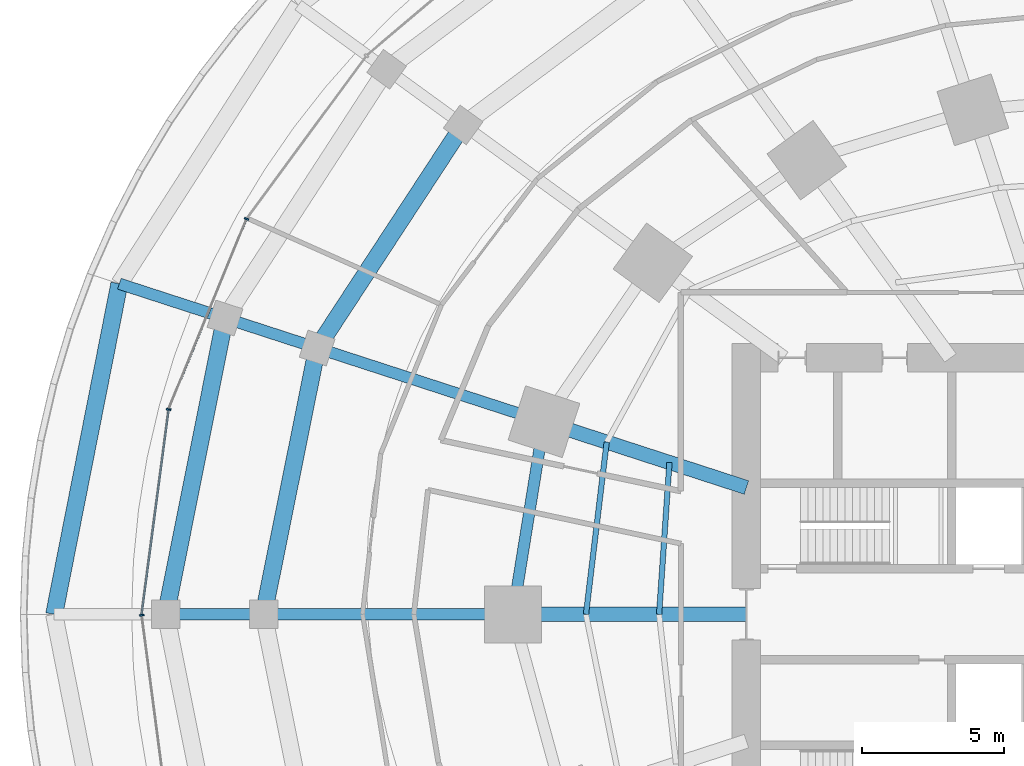
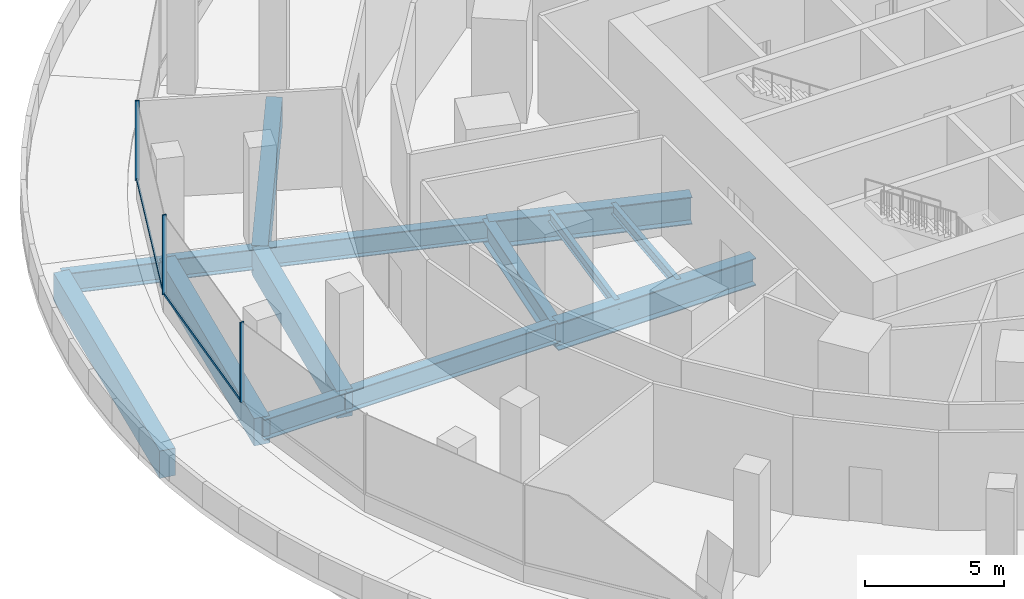
# One storey, part 8 of 27: 14 beams, 5 members, 2 elements without a shape of their own.
"""IFC4 building model written with IfcOpenShell, lengths in metres."""

from ifc_helpers import new_model, si_unit, direction, frame, origin, origin_2d, place, context, subcontext, project, spatial, rectangle, i_section, extrude, material, material_profile, profile_set, type_object, element, aggregate, save


model = new_model("IFC4")

# Units and contexts
model_context = context("Model", 3, precision=1e-05, world=origin(), true_north=direction((0.0, 1.0)))
body_context = subcontext(model_context, "Body", "Model", "MODEL_VIEW")
ifc_project = project(units=[si_unit("LENGTHUNIT", "METRE"), si_unit("AREAUNIT", "SQUARE_METRE"), si_unit("VOLUMEUNIT", "CUBIC_METRE"), si_unit("PLANEANGLEUNIT", "RADIAN"), si_unit("MASSUNIT", "GRAM", prefix="KILO")], contexts=[model_context])

# Site, building, storey
site_placement = place(None, origin())
site = spatial("IfcSite", under=ifc_project, at=site_placement, CompositionType="ELEMENT")
building_placement = place(site_placement, origin())
building = spatial("IfcBuilding", under=site, at=building_placement, Name="Marramba Exchange Tower", CompositionType="ELEMENT")
storey_placement = place(building_placement, frame((0.0, 0.0, 10.60009765625)))
storey = spatial("IfcBuildingStorey", under=building, at=storey_placement, Name="L02", CompositionType="ELEMENT", Elevation=10.60009765625)

# Beams
ifc_material_1 = material(Name="Concrete N50", Category="concrete")
ifc_material_profile_1 = material_profile(ifc_material_1, rectangle(XDim=0.60009765625, YDim=1.199951171875, at=origin_2d()), Name="RC 600x1200")
ifc_profile_set_1 = profile_set([ifc_material_profile_1], Name="Concrete N50")
beam_type_1 = type_object("IfcBeamType", Name="Edge beam RC 600x1200 N50", PredefinedType="SPANDREL", material=ifc_profile_set_1)
beam_1_placement = place(storey_placement, frame((-35.712158203125, 11.603515625, -0.85009765625), z_axis=(-0.19344375153, -0.981111367274, 0.0), x_axis=(0.981111367274, -0.19344375153, 0.0)))
element("IfcBeam", 1, at=beam_1_placement, inside=storey, type_object=beam_type_1, Name="Edge beam L02 P1C10", PredefinedType="SPANDREL", context=body_context, shape_type="SweptSolid", body=[
    extrude(rectangle(XDim=0.60009765625, YDim=1.199951171875, at=origin_2d()), origin(), (0.0, 0.0, 1.0), 11.826904296875),
])
beam_2_placement = place(storey_placement, frame((-32.005126953125, 10.399169921875, -0.800048828125), z_axis=(-0.195673363142, -0.980669126136, 0.0), x_axis=(0.980669126136, -0.195673363142, 0.0)))
element("IfcBeam", 2, at=beam_2_placement, inside=storey, type_object=beam_type_1, Name="Edge beam L02 P2C10", PredefinedType="SPANDREL", context=body_context, shape_type="SweptSolid", body=[
    extrude(rectangle(XDim=0.60009765625, YDim=1.199951171875, at=origin_2d()), origin(), (0.0, 0.0, 1.0), 10.604248046875),
])
beam_3_placement = place(storey_placement, frame((-23.644775390625, 17.178955078125, -0.800048828125), z_axis=(-0.547649213564, -0.836708036822, 0.0), x_axis=(0.836708036822, -0.547649213564, 0.0)))
element("IfcBeam", 3, at=beam_3_placement, inside=storey, type_object=beam_type_1, Name="Edge beam L02 P3C09", PredefinedType="SPANDREL", context=body_context, shape_type="SweptSolid", body=[
    extrude(rectangle(XDim=0.60009765625, YDim=1.199951171875, at=origin_2d()), origin(), (0.0, 0.0, 1.0), 9.359130859375),
])
beam_4_placement = place(storey_placement, frame((-28.770263671875, 9.34814453125, -0.800048828125), z_axis=(-0.197125420847, -0.980378278246, 0.0), x_axis=(0.980378278246, -0.197125420847, 0.0)))
element("IfcBeam", 4, at=beam_4_placement, inside=storey, type_object=beam_type_1, Name="Edge beam L02 P3C10", PredefinedType="SPANDREL", context=body_context, shape_type="SweptSolid", body=[
    extrude(rectangle(XDim=0.60009765625, YDim=1.199951171875, at=origin_2d()), origin(), (0.0, 0.0, 1.0), 9.53515625),
])
ifc_material_2 = material(Name="Steel AS/NZS 3679.1 grade 300", Category="steel")
ifc_material_profile_2 = material_profile(ifc_material_2, i_section(OverallWidth=0.18994140625, OverallDepth=0.4541015625, WebThickness=0.008544921875, FlangeThickness=0.0126953125, FilletRadius=0.011474609375, at=origin_2d()), Name="460UB67.1")
ifc_profile_set_2 = profile_set([ifc_material_profile_2], Name="Steel AS/NZS 3679.1 grade 300")
beam_type_2 = type_object("IfcBeamType", Name="Floor joist 460UB67.1", PredefinedType="JOIST", material=ifc_profile_set_2)
beam_5_placement = place(storey_placement, frame((-16.40283203125, 5.32958984375, -0.427001953125), z_axis=(-0.068096259546, -0.99767875563, 0.0), x_axis=(0.99767875563, -0.068096259546, 0.0)))
element("IfcBeam", 5, at=beam_5_placement, inside=storey, type_object=beam_type_2, Name="Joist L02 bay 10 row 1", PredefinedType="JOIST", context=body_context, shape_type="SweptSolid", body=[
    extrude(i_section(OverallWidth=0.18994140625, OverallDepth=0.4541015625, WebThickness=0.008544921875, FlangeThickness=0.0126953125, FilletRadius=0.011474609375, at=origin_2d()), origin(), (0.0, 0.0, 1.0), 5.342041015625),
])
beam_6_placement = place(storey_placement, frame((-18.60546875, 6.04541015625, -0.427001953125), z_axis=(-0.119523078538, -0.992831422597, 0.0), x_axis=(0.992831422597, -0.119523078538, 0.0)))
element("IfcBeam", 6, at=beam_6_placement, inside=storey, type_object=beam_type_2, Name="Joist L02 bay 10 row 2", PredefinedType="JOIST", context=body_context, shape_type="SweptSolid", body=[
    extrude(i_section(OverallWidth=0.18994140625, OverallDepth=0.4541015625, WebThickness=0.008544921875, FlangeThickness=0.0126953125, FilletRadius=0.011474609375, at=origin_2d()), origin(), (0.0, 0.0, 1.0), 6.089111328125),
])

# Curtain wall, members
ifc_material_3 = material(Name="Aluminium framing, bronze anodised", Category="aluminium")
curtain_wall_type = type_object("IfcCurtainWallType", Name="Podium ribbon curtain wall", PredefinedType="USERDEFINED", material=ifc_material_3)
curtain_wall_1_placement = place(storey_placement, origin())
curtain_wall_1 = element("IfcCurtainWall", 7, at=curtain_wall_1_placement, inside=storey, type_object=curtain_wall_type, Name="Curtain wall CW2 L02 F11-F15", ObjectType="RIBBON CURTAIN WALL", PredefinedType="USERDEFINED")
ifc_material_4 = material(Name="Aluminium mullion, bronze anodised", Category="aluminium")
ifc_material_profile_3 = material_profile(ifc_material_4, rectangle(XDim=0.159912109375, YDim=0.06005859375, at=origin_2d()), Name="CW2 mullion 60x160")
ifc_profile_set_3 = profile_set([ifc_material_profile_3], Name="Aluminium mullion, bronze anodised")
member_type_1 = type_object("IfcMemberType", Name="Podium ribbon curtain wall mullion", PredefinedType="MULLION", material=ifc_profile_set_3)
member_1_placement = place(storey_placement, frame((-31.247802734375, 13.879638671875, 0.7998046875), z_axis=(0.0, 0.0, 1.0), x_axis=(0.925298477778, -0.379239669632, 0.0)))
member_1 = element("IfcMember", 8, at=member_1_placement, type_object=member_type_1, Name="CW2 mullion 1", PredefinedType="MULLION", context=body_context, shape_type="SweptSolid", body=[
    extrude(rectangle(XDim=0.159912109375, YDim=0.06005859375, at=origin_2d()), origin(), (0.0, 0.0, 1.0), 3.5),
])
member_2_placement = place(storey_placement, frame((-33.980224609375, 7.192138671875, 0.7998046875), z_axis=(0.0, 0.0, 1.0), x_axis=(0.991394086468, -0.130911287965, 0.0)))
member_2 = element("IfcMember", 9, at=member_2_placement, type_object=member_type_1, Name="CW2 mullion 1", PredefinedType="MULLION", context=body_context, shape_type="SweptSolid", body=[
    extrude(rectangle(XDim=0.159912109375, YDim=0.06005859375, at=origin_2d()), origin(), (0.0, 0.0, 1.0), 3.5),
])

# Curtain wall, member
curtain_wall_2_placement = place(storey_placement, origin())
curtain_wall_2 = element("IfcCurtainWall", 10, at=curtain_wall_2_placement, inside=storey, type_object=curtain_wall_type, Name="Curtain wall CW2 L02 F16-F20", ObjectType="RIBBON CURTAIN WALL", PredefinedType="USERDEFINED")
member_3_placement = place(storey_placement, frame((-34.926025390625, -0.02978515625, 0.7998046875), z_axis=(0.0, 0.0, 1.0), x_axis=(0.991394086468, 0.130911287965, 0.0)))
member_3 = element("IfcMember", 11, at=member_3_placement, type_object=member_type_1, Name="CW2 mullion 1", PredefinedType="MULLION", context=body_context, shape_type="SweptSolid", body=[
    extrude(rectangle(XDim=0.159912109375, YDim=0.06005859375, at=origin_2d()), origin(), (0.0, 0.0, 1.0), 3.5),
])
aggregate(curtain_wall_2, [member_3])

# Member
ifc_material_5 = material(Name="Aluminium transom, bronze anodised", Category="aluminium")
ifc_material_profile_4 = material_profile(ifc_material_5, rectangle(XDim=0.06005859375, YDim=0.1201171875, at=origin_2d()), Name="CW2 transom 60x120")
ifc_profile_set_4 = profile_set([ifc_material_profile_4], Name="Aluminium transom, bronze anodised")
member_type_2 = type_object("IfcMemberType", Name="Podium ribbon curtain wall transom", PredefinedType="USERDEFINED", material=ifc_profile_set_4)
member_4_placement = place(storey_placement, frame((-31.259033203125, 13.851806640625, 0.829833984375), z_axis=(-0.379237764989, -0.925299258406, 0.0), x_axis=(0.925299258406, -0.379237764989, 0.0)))
member_4 = element("IfcMember", 12, at=member_4_placement, type_object=member_type_2, Name="CW2 sill transom", ObjectType="TRANSOM", PredefinedType="USERDEFINED", context=body_context, shape_type="SweptSolid", body=[
    extrude(rectangle(XDim=0.06005859375, YDim=0.1201171875, at=origin_2d()), origin(), (0.0, 0.0, 1.0), 7.1650390625),
])

member_5_placement = place(storey_placement, frame((-33.984130859375, 7.162353515625, 0.829833984375), z_axis=(-0.130915182154, -0.991393572241, 0.0), x_axis=(0.991393572241, -0.130915182154, 0.0)))
member_5 = element("IfcMember", 13, at=member_5_placement, type_object=member_type_2, Name="CW2 sill transom", ObjectType="TRANSOM", PredefinedType="USERDEFINED", context=body_context, shape_type="SweptSolid", body=[
    extrude(rectangle(XDim=0.06005859375, YDim=0.1201171875, at=origin_2d()), origin(), (0.0, 0.0, 1.0), 7.224609375),
])

aggregate(curtain_wall_1, [member_1, member_4, member_2, member_5])

# Beams
ifc_material_6 = material(Name="Steel AS/NZS 3679.2 grade 300", Category="steel")
ifc_material_profile_5 = material_profile(ifc_material_6, i_section(OverallWidth=0.5, OverallDepth=1.199951171875, WebThickness=0.01611328125, FlangeThickness=0.0400390625, at=origin_2d()), Name="1200WB455")
ifc_profile_set_5 = profile_set([ifc_material_profile_5], Name="Steel AS/NZS 3679.2 grade 300")
beam_type_3 = type_object("IfcBeamType", Name="Radial girder 1200WB455", PredefinedType="BEAM", material=ifc_profile_set_5)
beam_7_placement = place(storey_placement, frame((-13.699951171875, 4.451416015625, -0.800048828125), z_axis=(-0.951059990189, 0.309006302624, 0.0), x_axis=(-0.309006302624, -0.951059990189, 0.0)))
element("IfcBeam", 14, at=beam_7_placement, inside=storey, type_object=beam_type_3, Name="Radial girder L02 TC10", PredefinedType="BEAM", context=body_context, shape_type="SweptSolid", body=[
    extrude(i_section(OverallWidth=0.5, OverallDepth=1.199951171875, WebThickness=0.01611328125, FlangeThickness=0.0400390625, at=origin_2d()), origin(), (0.0, 0.0, 1.0), 7.47412109375),
])
beam_8_placement = place(storey_placement, frame((-13.699951171875, 0.0, -0.800048828125), z_axis=(-1.0, 0.0, 0.0), x_axis=(0.0, -1.0, 0.0)))
element("IfcBeam", 15, at=beam_8_placement, inside=storey, type_object=beam_type_3, Name="Radial girder L02 TC11", PredefinedType="BEAM", context=body_context, shape_type="SweptSolid", body=[
    extrude(i_section(OverallWidth=0.5, OverallDepth=1.199951171875, WebThickness=0.01611328125, FlangeThickness=0.0400390625, at=origin_2d()), origin(), (0.0, 0.0, 1.0), 8.199951171875),
])
ifc_material_profile_6 = material_profile(ifc_material_6, i_section(OverallWidth=0.39990234375, OverallDepth=0.89990234375, WebThickness=0.01611328125, FlangeThickness=0.031982421875, at=origin_2d()), Name="900WB282")
ifc_profile_set_6 = profile_set([ifc_material_profile_6], Name="Steel AS/NZS 3679.2 grade 300")
beam_type_4 = type_object("IfcBeamType", Name="Radial girder 900WB282", PredefinedType="BEAM", material=ifc_profile_set_6)
beam_9_placement = place(storey_placement, frame((-35.712158203125, 11.603515625, -0.7001953125), z_axis=(0.95106720483, -0.308984096511, 0.0), x_axis=(0.308984096511, 0.95106720483, 0.0)))
element("IfcBeam", 16, at=beam_9_placement, inside=storey, type_object=beam_type_4, Name="Radial girder L02 P1C10", PredefinedType="BEAM", context=body_context, shape_type="SweptSolid", body=[
    extrude(i_section(OverallWidth=0.39990234375, OverallDepth=0.89990234375, WebThickness=0.01611328125, FlangeThickness=0.031982421875, at=origin_2d()), origin(), (0.0, 0.0, 1.0), 3.897705078125),
])
beam_10_placement = place(storey_placement, frame((-32.005126953125, 10.399169921875, -0.650146484375), z_axis=(0.951060439376, -0.309004920114, 0.0), x_axis=(0.309004920114, 0.951060439376, 0.0)))
element("IfcBeam", 17, at=beam_10_placement, inside=storey, type_object=beam_type_4, Name="Radial girder L02 P2C10", PredefinedType="BEAM", context=body_context, shape_type="SweptSolid", body=[
    extrude(i_section(OverallWidth=0.39990234375, OverallDepth=0.89990234375, WebThickness=0.01611328125, FlangeThickness=0.031982421875, at=origin_2d()), origin(), (0.0, 0.0, 1.0), 3.4013671875),
])
beam_11_placement = place(storey_placement, frame((-34.080078125, 0.0, -0.650146484375), z_axis=(1.0, 0.0, 0.0), x_axis=(0.0, 1.0, 0.0)))
element("IfcBeam", 18, at=beam_11_placement, inside=storey, type_object=beam_type_4, Name="Radial girder L02 P2C11", PredefinedType="BEAM", context=body_context, shape_type="SweptSolid", body=[
    extrude(i_section(OverallWidth=0.39990234375, OverallDepth=0.89990234375, WebThickness=0.01611328125, FlangeThickness=0.031982421875, at=origin_2d()), origin(), (0.0, 0.0, 1.0), 3.43017578125),
])
beam_12_placement = place(storey_placement, frame((-28.770263671875, 9.34814453125, -0.650146484375), z_axis=(0.951050354939, -0.309035956436, 0.0), x_axis=(0.309035956436, 0.951050354939, 0.0)))
element("IfcBeam", 19, at=beam_12_placement, inside=storey, type_object=beam_type_4, Name="Radial girder L02 P3C10", PredefinedType="BEAM", context=body_context, shape_type="SweptSolid", body=[
    extrude(i_section(OverallWidth=0.39990234375, OverallDepth=0.89990234375, WebThickness=0.01611328125, FlangeThickness=0.031982421875, at=origin_2d()), origin(), (0.0, 0.0, 1.0), 8.371826171875),
])
beam_13_placement = place(storey_placement, frame((-30.64990234375, 0.0, -0.650146484375), z_axis=(1.0, 0.0, 0.0), x_axis=(0.0, 1.0, 0.0)))
element("IfcBeam", 20, at=beam_13_placement, inside=storey, type_object=beam_type_4, Name="Radial girder L02 P3C11", PredefinedType="BEAM", context=body_context, shape_type="SweptSolid", body=[
    extrude(i_section(OverallWidth=0.39990234375, OverallDepth=0.89990234375, WebThickness=0.01611328125, FlangeThickness=0.031982421875, at=origin_2d()), origin(), (0.0, 0.0, 1.0), 8.75),
])
ifc_material_profile_7 = material_profile(ifc_material_6, i_section(OverallWidth=0.39990234375, OverallDepth=1.0, WebThickness=0.01611328125, FlangeThickness=0.031982421875, at=origin_2d()), Name="1000WB322")
ifc_profile_set_7 = profile_set([ifc_material_profile_7], Name="Steel AS/NZS 3679.2 grade 300")
beam_type_5 = type_object("IfcBeamType", Name="Ring beam 1000WB322", PredefinedType="SPANDREL", material=ifc_profile_set_7)
beam_14_placement = place(storey_placement, frame((-20.808349609375, 6.760986328125, -0.7001953125), z_axis=(-0.159384865399, -0.987216523708, 0.0), x_axis=(0.987216523708, -0.159384865399, 0.0)))
element("IfcBeam", 21, at=beam_14_placement, inside=storey, type_object=beam_type_5, Name="Ring beam L02 TC10-TC11", PredefinedType="SPANDREL", context=body_context, shape_type="SweptSolid", body=[
    extrude(i_section(OverallWidth=0.39990234375, OverallDepth=1.0, WebThickness=0.01611328125, FlangeThickness=0.031982421875, at=origin_2d()), origin(), (0.0, 0.0, 1.0), 6.8486328125),
])

save(model, "model.ifc")
